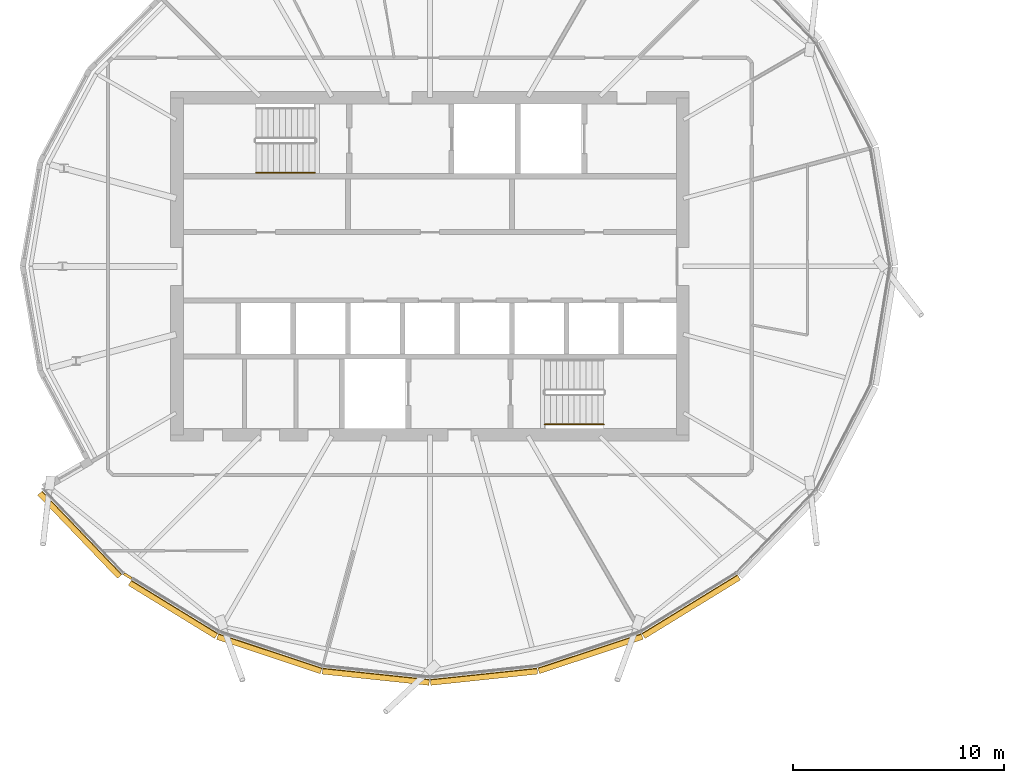
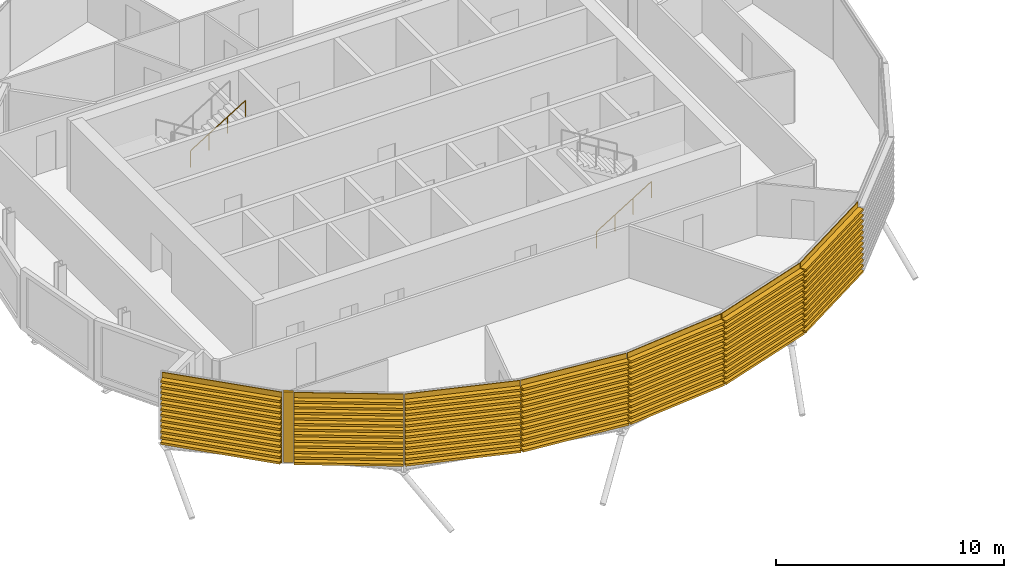
# One storey, part 31 of 36: 8 coverings, 2 railings.
"""IFC4 building model written with IfcOpenShell, lengths in metres."""

from ifc_helpers import new_model, si_unit, direction, frame, origin, origin_2d, place, context, subcontext, project, spatial, polyline, circle, outline, extrude, material, layer, layer_set, material_profile, profile_set, type_object, element, save


model = new_model("IFC4")

# Units and contexts
model_context = context("Model", 3, precision=1e-05, world=origin(), true_north=direction((0.0, 1.0)))
body_context = subcontext(model_context, "Body", "Model", "MODEL_VIEW")
ifc_project = project(units=[si_unit("LENGTHUNIT", "METRE"), si_unit("AREAUNIT", "SQUARE_METRE"), si_unit("VOLUMEUNIT", "CUBIC_METRE"), si_unit("PLANEANGLEUNIT", "RADIAN"), si_unit("MASSUNIT", "GRAM", prefix="KILO")], contexts=[model_context])

# Site, building, storey
site_placement = place(None, origin())
site = spatial("IfcSite", under=ifc_project, at=site_placement, CompositionType="ELEMENT")
building_placement = place(site_placement, origin())
building = spatial("IfcBuilding", under=site, at=building_placement, Name="Rimbun Link Towers", CompositionType="ELEMENT")
storey_placement = place(building_placement, frame((0.0, 0.0, 189.300048828125)))
storey = spatial("IfcBuildingStorey", under=building, at=storey_placement, Name="L46", CompositionType="ELEMENT", Elevation=189.300048828125)

# Covering
ifc_material_1 = material(Name="Terracotta", Category="masonry")
ifc_layer = layer(ifc_material_1, 0.1201171875)
ifc_layer_set = layer_set([ifc_layer], Name="LINK PIER terracotta cladding 120")
covering_type_1 = type_object("IfcCoveringType", Name="LINK PIER terracotta cladding 120", PredefinedType="CLADDING", material=ifc_layer_set)
covering_1_placement = place(storey_placement, origin())
element("IfcCovering", 1, at=covering_1_placement, inside=storey, type_object=covering_type_1, Name="LINK PIER cladding", PredefinedType="CLADDING", context=body_context, shape_type="SweptSolid", body=[
    extrude(outline(polyline([(-45.869384765625, -14.765625), (-46.244140625, -14.535400390625), (-46.30712890625, -14.6376953125), (-45.93212890625, -14.867919921875), (-45.869384765625, -14.765625)])), origin(), (0.0, 0.0, 1.0), 3.800048828125),
])

# Railings
ifc_material_2 = material(Name="Stainless steel grade 316", Category="steel")
railing_type = type_object("IfcRailingType", Name="Stair handrail", PredefinedType="HANDRAIL", material=ifc_material_2)
for number, where, name in (
    (2, (-40.0, 4.449951171875, 2.07275390625), "L46 ST1 stair handrail 2"),
    (3, (-26.300048828125, -7.5, 0.172607421875), "L46 ST2 stair handrail 1"),
):
    element("IfcRailing", number, at=place(storey_placement, frame(where)), inside=storey, type_object=railing_type, Name=name, PredefinedType="HANDRAIL", context=body_context, shape_type="SweptSolid", body=[
        extrude(circle(Radius=0.02392578125, at=origin_2d()), frame((0.0, 0.0, 0.8759765625), z_axis=(0.851089632645, 0.0, 0.525020415988), x_axis=(0.0, 1.0, 0.0)), (0.0, 0.0, 1.0), 3.2900390625),
        extrude(circle(Radius=0.02099609375, at=origin_2d()), origin(), (0.0, 0.0, 1.0), 0.851806640625),
        extrude(circle(Radius=0.02099609375, at=origin_2d()), frame((0.933349609375, 0.0, 0.57568359375)), (0.0, 0.0, 1.0), 0.851806640625),
        extrude(circle(Radius=0.02099609375, at=origin_2d()), frame((1.86669921875, 0.0, 1.151611328125)), (0.0, 0.0, 1.0), 0.851806640625),
        extrude(circle(Radius=0.02099609375, at=origin_2d()), frame((2.800048828125, 0.0, 1.727294921875)), (0.0, 0.0, 1.0), 0.851806640625),
    ])

# Coverings
ifc_material_3 = material(Name="Terracotta", Category="masonry")
ifc_material_profile = material_profile(ifc_material_3, outline(polyline([(0.123046875, 0.0), (0.1630859375, 0.0), (0.1630859375, 0.10009765625), (0.423095703125, 0.10009765625), (0.423095703125, 0.219970703125), (0.1630859375, 0.219970703125), (0.1630859375, 0.39990234375), (0.423095703125, 0.39990234375), (0.423095703125, 0.52001953125), (0.1630859375, 0.52001953125), (0.1630859375, 0.699951171875), (0.423095703125, 0.699951171875), (0.423095703125, 0.820068359375), (0.1630859375, 0.820068359375), (0.1630859375, 1.0), (0.423095703125, 1.0), (0.423095703125, 1.1201171875), (0.1630859375, 1.1201171875), (0.1630859375, 1.300048828125), (0.423095703125, 1.300048828125), (0.423095703125, 1.419921875), (0.1630859375, 1.419921875), (0.1630859375, 1.60009765625), (0.423095703125, 1.60009765625), (0.423095703125, 1.719970703125), (0.1630859375, 1.719970703125), (0.1630859375, 1.89990234375), (0.423095703125, 1.89990234375), (0.423095703125, 2.02001953125), (0.1630859375, 2.02001953125), (0.1630859375, 2.199951171875), (0.423095703125, 2.199951171875), (0.423095703125, 2.320068359375), (0.1630859375, 2.320068359375), (0.1630859375, 2.5), (0.423095703125, 2.5), (0.423095703125, 2.6201171875), (0.1630859375, 2.6201171875), (0.1630859375, 2.800048828125), (0.423095703125, 2.800048828125), (0.423095703125, 2.919921875), (0.1630859375, 2.919921875), (0.1630859375, 3.10009765625), (0.423095703125, 3.10009765625), (0.423095703125, 3.219970703125), (0.1630859375, 3.219970703125), (0.1630859375, 3.39990234375), (0.423095703125, 3.39990234375), (0.423095703125, 3.52001953125), (0.1630859375, 3.52001953125), (0.1630859375, 3.800048828125), (0.123046875, 3.800048828125), (0.123046875, 0.0)])), Name="BAGUETTE 120X300")
ifc_profile_set = profile_set([ifc_material_profile], Name="Terracotta")
covering_type_2 = type_object("IfcCoveringType", Name="TERRACOTTA BAGUETTE 120X300 H3800", PredefinedType="CLADDING", material=ifc_profile_set)
covering_2_placement = place(storey_placement, frame((-46.269775390625, -14.519775390625, 0.0), z_axis=(-0.692048759633, 0.721850756244, 0.0), x_axis=(-0.721850756244, -0.692048759633, 0.0)))
element("IfcCovering", 4, at=covering_2_placement, inside=storey, type_object=covering_type_2, Name="TERRACOTTA BAGUETTE", PredefinedType="CLADDING", context=body_context, shape_type="SweptSolid", body=[
    extrude(outline(polyline([(0.123046875, 0.0), (0.1630859375, 0.0), (0.1630859375, 0.10009765625), (0.423095703125, 0.10009765625), (0.423095703125, 0.219970703125), (0.1630859375, 0.219970703125), (0.1630859375, 0.39990234375), (0.423095703125, 0.39990234375), (0.423095703125, 0.52001953125), (0.1630859375, 0.52001953125), (0.1630859375, 0.699951171875), (0.423095703125, 0.699951171875), (0.423095703125, 0.820068359375), (0.1630859375, 0.820068359375), (0.1630859375, 1.0), (0.423095703125, 1.0), (0.423095703125, 1.1201171875), (0.1630859375, 1.1201171875), (0.1630859375, 1.300048828125), (0.423095703125, 1.300048828125), (0.423095703125, 1.419921875), (0.1630859375, 1.419921875), (0.1630859375, 1.60009765625), (0.423095703125, 1.60009765625), (0.423095703125, 1.719970703125), (0.1630859375, 1.719970703125), (0.1630859375, 1.89990234375), (0.423095703125, 1.89990234375), (0.423095703125, 2.02001953125), (0.1630859375, 2.02001953125), (0.1630859375, 2.199951171875), (0.423095703125, 2.199951171875), (0.423095703125, 2.320068359375), (0.1630859375, 2.320068359375), (0.1630859375, 2.5), (0.423095703125, 2.5), (0.423095703125, 2.6201171875), (0.1630859375, 2.6201171875), (0.1630859375, 2.800048828125), (0.423095703125, 2.800048828125), (0.423095703125, 2.919921875), (0.1630859375, 2.919921875), (0.1630859375, 3.10009765625), (0.423095703125, 3.10009765625), (0.423095703125, 3.219970703125), (0.1630859375, 3.219970703125), (0.1630859375, 3.39990234375), (0.423095703125, 3.39990234375), (0.423095703125, 3.52001953125), (0.1630859375, 3.52001953125), (0.1630859375, 3.800048828125), (0.123046875, 3.800048828125), (0.123046875, 0.0)])), origin(), (0.0, 0.0, 1.0), 5.472412109375),
])
covering_3_placement = place(storey_placement, frame((-41.739013671875, -17.301513671875, 0.0), z_axis=(-0.852211272576, 0.523197808572, 0.0), x_axis=(-0.523197808572, -0.852211272576, 0.0)))
element("IfcCovering", 5, at=covering_3_placement, inside=storey, type_object=covering_type_2, Name="TERRACOTTA BAGUETTE", PredefinedType="CLADDING", context=body_context, shape_type="SweptSolid", body=[
    extrude(outline(polyline([(0.123046875, 0.0), (0.1630859375, 0.0), (0.1630859375, 0.10009765625), (0.423095703125, 0.10009765625), (0.423095703125, 0.219970703125), (0.1630859375, 0.219970703125), (0.1630859375, 0.39990234375), (0.423095703125, 0.39990234375), (0.423095703125, 0.52001953125), (0.1630859375, 0.52001953125), (0.1630859375, 0.699951171875), (0.423095703125, 0.699951171875), (0.423095703125, 0.820068359375), (0.1630859375, 0.820068359375), (0.1630859375, 1.0), (0.423095703125, 1.0), (0.423095703125, 1.1201171875), (0.1630859375, 1.1201171875), (0.1630859375, 1.300048828125), (0.423095703125, 1.300048828125), (0.423095703125, 1.419921875), (0.1630859375, 1.419921875), (0.1630859375, 1.60009765625), (0.423095703125, 1.60009765625), (0.423095703125, 1.719970703125), (0.1630859375, 1.719970703125), (0.1630859375, 1.89990234375), (0.423095703125, 1.89990234375), (0.423095703125, 2.02001953125), (0.1630859375, 2.02001953125), (0.1630859375, 2.199951171875), (0.423095703125, 2.199951171875), (0.423095703125, 2.320068359375), (0.1630859375, 2.320068359375), (0.1630859375, 2.5), (0.423095703125, 2.5), (0.423095703125, 2.6201171875), (0.1630859375, 2.6201171875), (0.1630859375, 2.800048828125), (0.423095703125, 2.800048828125), (0.423095703125, 2.919921875), (0.1630859375, 2.919921875), (0.1630859375, 3.10009765625), (0.423095703125, 3.10009765625), (0.423095703125, 3.219970703125), (0.1630859375, 3.219970703125), (0.1630859375, 3.39990234375), (0.423095703125, 3.39990234375), (0.423095703125, 3.52001953125), (0.1630859375, 3.52001953125), (0.1630859375, 3.800048828125), (0.123046875, 3.800048828125), (0.123046875, 0.0)])), origin(), (0.0, 0.0, 1.0), 4.816650390625),
])
covering_4_placement = place(storey_placement, frame((-36.822509765625, -18.930908203125, 0.0), z_axis=(-0.949228659761, 0.314586953781, 0.0), x_axis=(-0.314586953781, -0.949228659761, 0.0)))
element("IfcCovering", 6, at=covering_4_placement, inside=storey, type_object=covering_type_2, Name="TERRACOTTA BAGUETTE", PredefinedType="CLADDING", context=body_context, shape_type="SweptSolid", body=[
    extrude(outline(polyline([(0.123046875, 0.0), (0.1630859375, 0.0), (0.1630859375, 0.10009765625), (0.423095703125, 0.10009765625), (0.423095703125, 0.219970703125), (0.1630859375, 0.219970703125), (0.1630859375, 0.39990234375), (0.423095703125, 0.39990234375), (0.423095703125, 0.52001953125), (0.1630859375, 0.52001953125), (0.1630859375, 0.699951171875), (0.423095703125, 0.699951171875), (0.423095703125, 0.820068359375), (0.1630859375, 0.820068359375), (0.1630859375, 1.0), (0.423095703125, 1.0), (0.423095703125, 1.1201171875), (0.1630859375, 1.1201171875), (0.1630859375, 1.300048828125), (0.423095703125, 1.300048828125), (0.423095703125, 1.419921875), (0.1630859375, 1.419921875), (0.1630859375, 1.60009765625), (0.423095703125, 1.60009765625), (0.423095703125, 1.719970703125), (0.1630859375, 1.719970703125), (0.1630859375, 1.89990234375), (0.423095703125, 1.89990234375), (0.423095703125, 2.02001953125), (0.1630859375, 2.02001953125), (0.1630859375, 2.199951171875), (0.423095703125, 2.199951171875), (0.423095703125, 2.320068359375), (0.1630859375, 2.320068359375), (0.1630859375, 2.5), (0.423095703125, 2.5), (0.423095703125, 2.6201171875), (0.1630859375, 2.6201171875), (0.1630859375, 2.800048828125), (0.423095703125, 2.800048828125), (0.423095703125, 2.919921875), (0.1630859375, 2.919921875), (0.1630859375, 3.10009765625), (0.423095703125, 3.10009765625), (0.423095703125, 3.219970703125), (0.1630859375, 3.219970703125), (0.1630859375, 3.39990234375), (0.423095703125, 3.39990234375), (0.423095703125, 3.52001953125), (0.1630859375, 3.52001953125), (0.1630859375, 3.800048828125), (0.123046875, 3.800048828125), (0.123046875, 0.0)])), origin(), (0.0, 0.0, 1.0), 5.179443359375),
])
for number, where, z_axis, x_axis, name in (
    (7, (-31.75, -19.465087890625, 0.0), (-0.994500730933, 0.104729633695, 0.0), (-0.104729633695, -0.994500730933, 0.0), "TERRACOTTA BAGUETTE"),
    (8, (-26.677490234375, -18.930908203125, 0.0), (-0.994500730933, -0.104729633695, 0.0), (0.104729633695, -0.994500730933, 0.0), "TERRACOTTA BAGUETTE"),
):
    element("IfcCovering", number, at=place(storey_placement, frame(where, z_axis=z_axis, x_axis=x_axis)), inside=storey, type_object=covering_type_2, Name=name, PredefinedType="CLADDING", context=body_context, shape_type="SweptSolid", body=[
        extrude(outline(polyline([(0.123046875, 0.0), (0.1630859375, 0.0), (0.1630859375, 0.10009765625), (0.423095703125, 0.10009765625), (0.423095703125, 0.219970703125), (0.1630859375, 0.219970703125), (0.1630859375, 0.39990234375), (0.423095703125, 0.39990234375), (0.423095703125, 0.52001953125), (0.1630859375, 0.52001953125), (0.1630859375, 0.699951171875), (0.423095703125, 0.699951171875), (0.423095703125, 0.820068359375), (0.1630859375, 0.820068359375), (0.1630859375, 1.0), (0.423095703125, 1.0), (0.423095703125, 1.1201171875), (0.1630859375, 1.1201171875), (0.1630859375, 1.300048828125), (0.423095703125, 1.300048828125), (0.423095703125, 1.419921875), (0.1630859375, 1.419921875), (0.1630859375, 1.60009765625), (0.423095703125, 1.60009765625), (0.423095703125, 1.719970703125), (0.1630859375, 1.719970703125), (0.1630859375, 1.89990234375), (0.423095703125, 1.89990234375), (0.423095703125, 2.02001953125), (0.1630859375, 2.02001953125), (0.1630859375, 2.199951171875), (0.423095703125, 2.199951171875), (0.423095703125, 2.320068359375), (0.1630859375, 2.320068359375), (0.1630859375, 2.5), (0.423095703125, 2.5), (0.423095703125, 2.6201171875), (0.1630859375, 2.6201171875), (0.1630859375, 2.800048828125), (0.423095703125, 2.800048828125), (0.423095703125, 2.919921875), (0.1630859375, 2.919921875), (0.1630859375, 3.10009765625), (0.423095703125, 3.10009765625), (0.423095703125, 3.219970703125), (0.1630859375, 3.219970703125), (0.1630859375, 3.39990234375), (0.423095703125, 3.39990234375), (0.423095703125, 3.52001953125), (0.1630859375, 3.52001953125), (0.1630859375, 3.800048828125), (0.123046875, 3.800048828125), (0.123046875, 0.0)])), origin(), (0.0, 0.0, 1.0), 5.1005859375),
    ])
covering_5_placement = place(storey_placement, frame((-21.760986328125, -17.301513671875, 0.0), z_axis=(-0.949228659761, -0.314586953781, 0.0), x_axis=(0.314586953781, -0.949228659761, 0.0)))
element("IfcCovering", 9, at=covering_5_placement, inside=storey, type_object=covering_type_2, Name="TERRACOTTA BAGUETTE", PredefinedType="CLADDING", context=body_context, shape_type="SweptSolid", body=[
    extrude(outline(polyline([(0.123046875, 0.0), (0.1630859375, 0.0), (0.1630859375, 0.10009765625), (0.423095703125, 0.10009765625), (0.423095703125, 0.219970703125), (0.1630859375, 0.219970703125), (0.1630859375, 0.39990234375), (0.423095703125, 0.39990234375), (0.423095703125, 0.52001953125), (0.1630859375, 0.52001953125), (0.1630859375, 0.699951171875), (0.423095703125, 0.699951171875), (0.423095703125, 0.820068359375), (0.1630859375, 0.820068359375), (0.1630859375, 1.0), (0.423095703125, 1.0), (0.423095703125, 1.1201171875), (0.1630859375, 1.1201171875), (0.1630859375, 1.300048828125), (0.423095703125, 1.300048828125), (0.423095703125, 1.419921875), (0.1630859375, 1.419921875), (0.1630859375, 1.60009765625), (0.423095703125, 1.60009765625), (0.423095703125, 1.719970703125), (0.1630859375, 1.719970703125), (0.1630859375, 1.89990234375), (0.423095703125, 1.89990234375), (0.423095703125, 2.02001953125), (0.1630859375, 2.02001953125), (0.1630859375, 2.199951171875), (0.423095703125, 2.199951171875), (0.423095703125, 2.320068359375), (0.1630859375, 2.320068359375), (0.1630859375, 2.5), (0.423095703125, 2.5), (0.423095703125, 2.6201171875), (0.1630859375, 2.6201171875), (0.1630859375, 2.800048828125), (0.423095703125, 2.800048828125), (0.423095703125, 2.919921875), (0.1630859375, 2.919921875), (0.1630859375, 3.10009765625), (0.423095703125, 3.10009765625), (0.423095703125, 3.219970703125), (0.1630859375, 3.219970703125), (0.1630859375, 3.39990234375), (0.423095703125, 3.39990234375), (0.423095703125, 3.52001953125), (0.1630859375, 3.52001953125), (0.1630859375, 3.800048828125), (0.123046875, 3.800048828125), (0.123046875, 0.0)])), origin(), (0.0, 0.0, 1.0), 5.179443359375),
])
covering_6_placement = place(storey_placement, frame((-17.230224609375, -14.519775390625, 0.0), z_axis=(-0.852197089735, -0.523220909604, 0.0), x_axis=(0.523220909604, -0.852197089735, 0.0)))
element("IfcCovering", 10, at=covering_6_placement, inside=storey, type_object=covering_type_2, Name="TERRACOTTA BAGUETTE", PredefinedType="CLADDING", context=body_context, shape_type="SweptSolid", body=[
    extrude(outline(polyline([(0.123046875, 0.0), (0.1630859375, 0.0), (0.1630859375, 0.10009765625), (0.423095703125, 0.10009765625), (0.423095703125, 0.219970703125), (0.1630859375, 0.219970703125), (0.1630859375, 0.39990234375), (0.423095703125, 0.39990234375), (0.423095703125, 0.52001953125), (0.1630859375, 0.52001953125), (0.1630859375, 0.699951171875), (0.423095703125, 0.699951171875), (0.423095703125, 0.820068359375), (0.1630859375, 0.820068359375), (0.1630859375, 1.0), (0.423095703125, 1.0), (0.423095703125, 1.1201171875), (0.1630859375, 1.1201171875), (0.1630859375, 1.300048828125), (0.423095703125, 1.300048828125), (0.423095703125, 1.419921875), (0.1630859375, 1.419921875), (0.1630859375, 1.60009765625), (0.423095703125, 1.60009765625), (0.423095703125, 1.719970703125), (0.1630859375, 1.719970703125), (0.1630859375, 1.89990234375), (0.423095703125, 1.89990234375), (0.423095703125, 2.02001953125), (0.1630859375, 2.02001953125), (0.1630859375, 2.199951171875), (0.423095703125, 2.199951171875), (0.423095703125, 2.320068359375), (0.1630859375, 2.320068359375), (0.1630859375, 2.5), (0.423095703125, 2.5), (0.423095703125, 2.6201171875), (0.1630859375, 2.6201171875), (0.1630859375, 2.800048828125), (0.423095703125, 2.800048828125), (0.423095703125, 2.919921875), (0.1630859375, 2.919921875), (0.1630859375, 3.10009765625), (0.423095703125, 3.10009765625), (0.423095703125, 3.219970703125), (0.1630859375, 3.219970703125), (0.1630859375, 3.39990234375), (0.423095703125, 3.39990234375), (0.423095703125, 3.52001953125), (0.1630859375, 3.52001953125), (0.1630859375, 3.800048828125), (0.123046875, 3.800048828125), (0.123046875, 0.0)])), origin(), (0.0, 0.0, 1.0), 5.316650390625),
])

save(model, "model.ifc")
